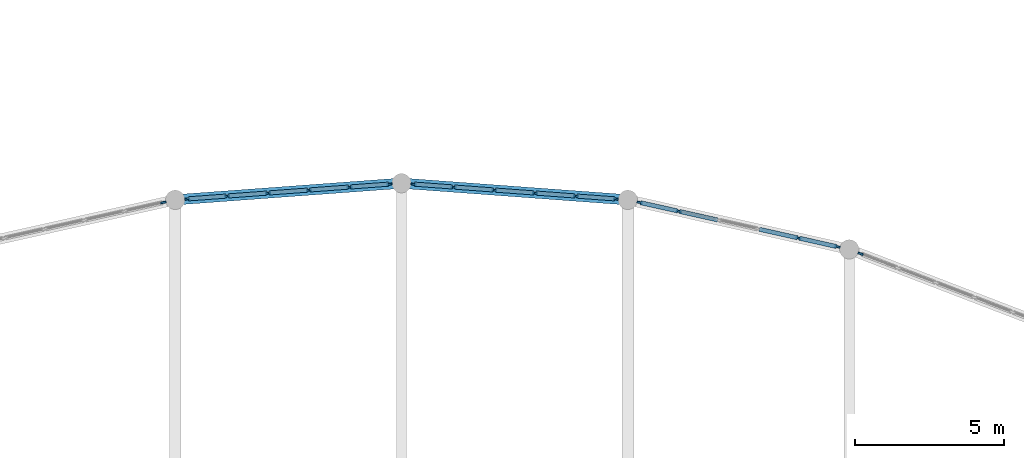
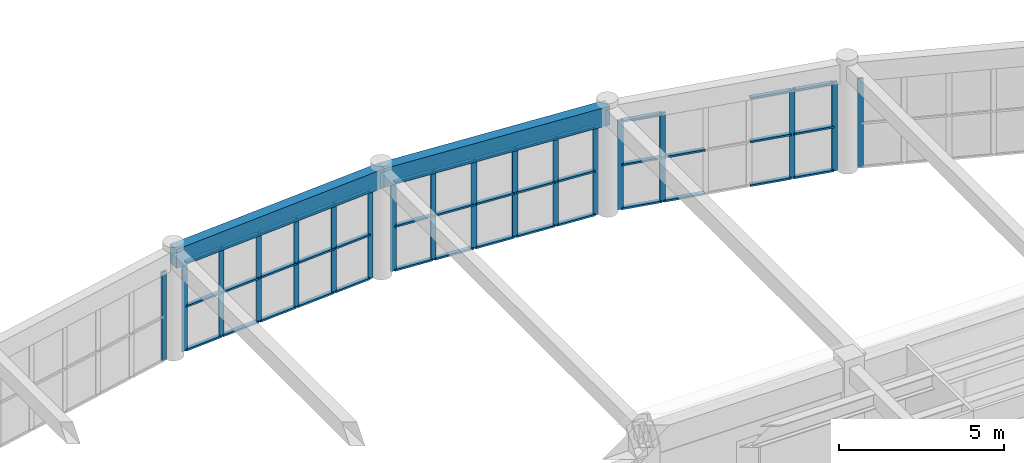
# One storey, part 22 of 76: 59 members, 2 beams, 5 elements without a shape of their own.
"""IFC4 building model written with IfcOpenShell, lengths in metres."""

from ifc_helpers import new_model, si_unit, direction, frame, origin, origin_2d, place, context, subcontext, project, spatial, rectangle, extrude, material, material_profile, profile_set, type_object, element, aggregate, save


model = new_model("IFC4")

# Units and contexts
model_context = context("Model", 3, precision=1e-05, world=origin(), true_north=direction((0.0, 1.0)))
body_context = subcontext(model_context, "Body", "Model", "MODEL_VIEW")
ifc_project = project(units=[si_unit("LENGTHUNIT", "METRE"), si_unit("AREAUNIT", "SQUARE_METRE"), si_unit("VOLUMEUNIT", "CUBIC_METRE"), si_unit("PLANEANGLEUNIT", "RADIAN"), si_unit("MASSUNIT", "GRAM", prefix="KILO")], contexts=[model_context])

# Site, building, storey
site_placement = place(None, origin())
site = spatial("IfcSite", under=ifc_project, at=site_placement, CompositionType="ELEMENT")
building_placement = place(site_placement, origin())
building = spatial("IfcBuilding", under=site, at=building_placement, Name="Mithqara Police Headquarters", CompositionType="ELEMENT")
storey_placement = place(building_placement, frame((0.0, 0.0, 5.39990234375)))
storey = spatial("IfcBuildingStorey", under=building, at=storey_placement, Name="L01", CompositionType="ELEMENT", Elevation=5.39990234375)

# Curtain wall, member
ifc_material_1 = material(Name="Bronze anodised aluminium 6063-T6", Category="aluminium")
curtain_wall_type_1 = type_object("IfcCurtainWallType", Name="CURTAIN WALL 6875X3300", PredefinedType="USERDEFINED", material=ifc_material_1)
curtain_wall_1_placement = place(storey_placement, origin())
curtain_wall_1 = element("IfcCurtainWall", 1, at=curtain_wall_1_placement, inside=storey, type_object=curtain_wall_type_1, Name="L01 Unitised Glazing CW-12 (CW-ARC-L01-02-0)", ObjectType="UNITISED GLAZING", PredefinedType="USERDEFINED")
ifc_material_profile_1 = material_profile(ifc_material_1, rectangle(XDim=0.06494140625, YDim=0.179931640625, at=origin_2d()), Name="CWM 65x180")
ifc_profile_set_1 = profile_set([ifc_material_profile_1], Name="Bronze anodised aluminium 6063-T6")
member_type_1 = type_object("IfcMemberType", Name="CWMULLION 65X180", PredefinedType="MULLION", material=ifc_profile_set_1)
member_1_placement = place(storey_placement, frame((64.599365234375, 101.055908203125, 0.0), z_axis=(0.0, 0.0, 1.0), x_axis=(-0.218341058316, 0.975872523567, 0.0)))
member_1 = element("IfcMember", 2, at=member_1_placement, type_object=member_type_1, Name="CW-12 mullion 6", PredefinedType="MULLION", context=body_context, shape_type="SweptSolid", body=[
    extrude(rectangle(XDim=0.06494140625, YDim=0.179931640625, at=origin_2d()), origin(), (0.0, 0.0, 1.0), 3.300048828125),
])
aggregate(curtain_wall_1, [member_1])

# Curtain wall, members
curtain_wall_type_2 = type_object("IfcCurtainWallType", Name="CURTAIN WALL 6874X3300", PredefinedType="USERDEFINED", material=ifc_material_1)
curtain_wall_2_placement = place(storey_placement, origin())
curtain_wall_2 = element("IfcCurtainWall", 3, at=curtain_wall_2_placement, inside=storey, type_object=curtain_wall_type_2, Name="L01 Unitised Glazing CW-13 (CW-ARC-L01-03-0)", ObjectType="UNITISED GLAZING", PredefinedType="USERDEFINED")
member_2_placement = place(storey_placement, frame((65.40283203125, 101.1748046875, 0.0), z_axis=(0.0, 0.0, 1.0), x_axis=(-0.073301016565, 0.997309862064, 0.0)))
member_2 = element("IfcMember", 4, at=member_2_placement, type_object=member_type_1, Name="CW-13 mullion 1", PredefinedType="MULLION", context=body_context, shape_type="SweptSolid", body=[
    extrude(rectangle(XDim=0.06494140625, YDim=0.179931640625, at=origin_2d()), origin(), (0.0, 0.0, 1.0), 3.300048828125),
])
member_3_placement = place(storey_placement, frame((66.74169921875, 101.273193359375, 0.0), z_axis=(0.0, 0.0, 1.0), x_axis=(-0.073301016565, 0.997309862064, 0.0)))
member_3 = element("IfcMember", 5, at=member_3_placement, type_object=member_type_1, Name="CW-13 mullion 2", PredefinedType="MULLION", context=body_context, shape_type="SweptSolid", body=[
    extrude(rectangle(XDim=0.06494140625, YDim=0.179931640625, at=origin_2d()), origin(), (0.0, 0.0, 1.0), 3.300048828125),
])
member_4_placement = place(storey_placement, frame((68.11279296875, 101.3740234375, 0.0), z_axis=(0.0, 0.0, 1.0), x_axis=(-0.073301016565, 0.997309862064, 0.0)))
member_4 = element("IfcMember", 6, at=member_4_placement, type_object=member_type_1, Name="CW-13 mullion 3", PredefinedType="MULLION", context=body_context, shape_type="SweptSolid", body=[
    extrude(rectangle(XDim=0.06494140625, YDim=0.179931640625, at=origin_2d()), origin(), (0.0, 0.0, 1.0), 3.300048828125),
])
member_5_placement = place(storey_placement, frame((69.48388671875, 101.474853515625, 0.0), z_axis=(0.0, 0.0, 1.0), x_axis=(-0.073301016565, 0.997309862064, 0.0)))
member_5 = element("IfcMember", 7, at=member_5_placement, type_object=member_type_1, Name="CW-13 mullion 4", PredefinedType="MULLION", context=body_context, shape_type="SweptSolid", body=[
    extrude(rectangle(XDim=0.06494140625, YDim=0.179931640625, at=origin_2d()), origin(), (0.0, 0.0, 1.0), 3.300048828125),
])
member_6_placement = place(storey_placement, frame((70.855224609375, 101.575439453125, 0.0), z_axis=(0.0, 0.0, 1.0), x_axis=(-0.073301016565, 0.997309862064, 0.0)))
member_6 = element("IfcMember", 8, at=member_6_placement, type_object=member_type_1, Name="CW-13 mullion 5", PredefinedType="MULLION", context=body_context, shape_type="SweptSolid", body=[
    extrude(rectangle(XDim=0.06494140625, YDim=0.179931640625, at=origin_2d()), origin(), (0.0, 0.0, 1.0), 3.300048828125),
])
member_7_placement = place(storey_placement, frame((72.19384765625, 101.673828125, 0.0), z_axis=(0.0, 0.0, 1.0), x_axis=(-0.073301016565, 0.997309862064, 0.0)))
member_7 = element("IfcMember", 9, at=member_7_placement, type_object=member_type_1, Name="CW-13 mullion 6", PredefinedType="MULLION", context=body_context, shape_type="SweptSolid", body=[
    extrude(rectangle(XDim=0.06494140625, YDim=0.179931640625, at=origin_2d()), origin(), (0.0, 0.0, 1.0), 3.300048828125),
])

curtain_wall_3_placement = place(storey_placement, origin())
curtain_wall_3 = element("IfcCurtainWall", 10, at=curtain_wall_3_placement, inside=storey, type_object=curtain_wall_type_2, Name="L01 Unitised Glazing CW-13 (CW-ARC-L01-04-0)", ObjectType="UNITISED GLAZING", PredefinedType="USERDEFINED")
member_8_placement = place(storey_placement, frame((73.006103515625, 101.673828125, 0.0), z_axis=(0.0, 0.0, 1.0), x_axis=(0.073301016565, 0.997309862064, 0.0)))
member_8 = element("IfcMember", 11, at=member_8_placement, type_object=member_type_1, Name="CW-13 mullion 1", PredefinedType="MULLION", context=body_context, shape_type="SweptSolid", body=[
    extrude(rectangle(XDim=0.06494140625, YDim=0.179931640625, at=origin_2d()), origin(), (0.0, 0.0, 1.0), 3.300048828125),
])
member_9_placement = place(storey_placement, frame((74.344970703125, 101.575439453125, 0.0), z_axis=(0.0, 0.0, 1.0), x_axis=(0.073301016565, 0.997309862064, 0.0)))
member_9 = element("IfcMember", 12, at=member_9_placement, type_object=member_type_1, Name="CW-13 mullion 2", PredefinedType="MULLION", context=body_context, shape_type="SweptSolid", body=[
    extrude(rectangle(XDim=0.06494140625, YDim=0.179931640625, at=origin_2d()), origin(), (0.0, 0.0, 1.0), 3.300048828125),
])
member_10_placement = place(storey_placement, frame((75.716064453125, 101.474853515625, 0.0), z_axis=(0.0, 0.0, 1.0), x_axis=(0.073301016565, 0.997309862064, 0.0)))
member_10 = element("IfcMember", 13, at=member_10_placement, type_object=member_type_1, Name="CW-13 mullion 3", PredefinedType="MULLION", context=body_context, shape_type="SweptSolid", body=[
    extrude(rectangle(XDim=0.06494140625, YDim=0.179931640625, at=origin_2d()), origin(), (0.0, 0.0, 1.0), 3.300048828125),
])
member_11_placement = place(storey_placement, frame((77.087158203125, 101.3740234375, 0.0), z_axis=(0.0, 0.0, 1.0), x_axis=(0.073301016565, 0.997309862064, 0.0)))
member_11 = element("IfcMember", 14, at=member_11_placement, type_object=member_type_1, Name="CW-13 mullion 4", PredefinedType="MULLION", context=body_context, shape_type="SweptSolid", body=[
    extrude(rectangle(XDim=0.06494140625, YDim=0.179931640625, at=origin_2d()), origin(), (0.0, 0.0, 1.0), 3.300048828125),
])
member_12_placement = place(storey_placement, frame((78.45849609375, 101.273193359375, 0.0), z_axis=(0.0, 0.0, 1.0), x_axis=(0.073301016565, 0.997309862064, 0.0)))
member_12 = element("IfcMember", 15, at=member_12_placement, type_object=member_type_1, Name="CW-13 mullion 5", PredefinedType="MULLION", context=body_context, shape_type="SweptSolid", body=[
    extrude(rectangle(XDim=0.06494140625, YDim=0.179931640625, at=origin_2d()), origin(), (0.0, 0.0, 1.0), 3.300048828125),
])
member_13_placement = place(storey_placement, frame((79.797119140625, 101.1748046875, 0.0), z_axis=(0.0, 0.0, 1.0), x_axis=(0.073301016565, 0.997309862064, 0.0)))
member_13 = element("IfcMember", 16, at=member_13_placement, type_object=member_type_1, Name="CW-13 mullion 6", PredefinedType="MULLION", context=body_context, shape_type="SweptSolid", body=[
    extrude(rectangle(XDim=0.06494140625, YDim=0.179931640625, at=origin_2d()), origin(), (0.0, 0.0, 1.0), 3.300048828125),
])

curtain_wall_4_placement = place(storey_placement, origin())
curtain_wall_4 = element("IfcCurtainWall", 17, at=curtain_wall_4_placement, inside=storey, type_object=curtain_wall_type_1, Name="L01 Unitised Glazing CW-12 (CW-ARC-L01-05-0)", ObjectType="UNITISED GLAZING", PredefinedType="USERDEFINED")
member_14_placement = place(storey_placement, frame((80.6005859375, 101.055908203125, 0.0), z_axis=(0.0, 0.0, 1.0), x_axis=(0.218341058316, 0.975872523567, 0.0)))
member_14 = element("IfcMember", 18, at=member_14_placement, type_object=member_type_1, Name="CW-12 mullion 1", PredefinedType="MULLION", context=body_context, shape_type="SweptSolid", body=[
    extrude(rectangle(XDim=0.06494140625, YDim=0.179931640625, at=origin_2d()), origin(), (0.0, 0.0, 1.0), 3.300048828125),
])
member_15_placement = place(storey_placement, frame((81.91064453125, 100.762939453125, 0.0), z_axis=(0.0, 0.0, 1.0), x_axis=(0.218341058316, 0.975872523567, 0.0)))
member_15 = element("IfcMember", 19, at=member_15_placement, type_object=member_type_1, Name="CW-12 mullion 2", PredefinedType="MULLION", context=body_context, shape_type="SweptSolid", body=[
    extrude(rectangle(XDim=0.06494140625, YDim=0.179931640625, at=origin_2d()), origin(), (0.0, 0.0, 1.0), 3.300048828125),
])
member_16_placement = place(storey_placement, frame((85.935791015625, 99.8623046875, 0.0), z_axis=(0.0, 0.0, 1.0), x_axis=(0.218341058316, 0.975872523567, 0.0)))
member_16 = element("IfcMember", 20, at=member_16_placement, type_object=member_type_1, Name="CW-12 mullion 5", PredefinedType="MULLION", context=body_context, shape_type="SweptSolid", body=[
    extrude(rectangle(XDim=0.06494140625, YDim=0.179931640625, at=origin_2d()), origin(), (0.0, 0.0, 1.0), 3.300048828125),
])
member_17_placement = place(storey_placement, frame((87.245849609375, 99.569091796875, 0.0), z_axis=(0.0, 0.0, 1.0), x_axis=(0.218341058316, 0.975872523567, 0.0)))
member_17 = element("IfcMember", 21, at=member_17_placement, type_object=member_type_1, Name="CW-12 mullion 6", PredefinedType="MULLION", context=body_context, shape_type="SweptSolid", body=[
    extrude(rectangle(XDim=0.06494140625, YDim=0.179931640625, at=origin_2d()), origin(), (0.0, 0.0, 1.0), 3.300048828125),
])

# Curtain wall, member
curtain_wall_5_placement = place(storey_placement, origin())
curtain_wall_5 = element("IfcCurtainWall", 22, at=curtain_wall_5_placement, inside=storey, type_object=curtain_wall_type_1, Name="L01 Unitised Glazing CW-12 (CW-ARC-L01-06-0)", ObjectType="UNITISED GLAZING", PredefinedType="USERDEFINED")
member_18_placement = place(storey_placement, frame((88.023193359375, 99.334228515625, 0.0), z_axis=(0.0, 0.0, 1.0), x_axis=(0.358680788402, 0.933460278765, 0.0)))
member_18 = element("IfcMember", 23, at=member_18_placement, type_object=member_type_1, Name="CW-12 mullion 1", PredefinedType="MULLION", context=body_context, shape_type="SweptSolid", body=[
    extrude(rectangle(XDim=0.06494140625, YDim=0.179931640625, at=origin_2d()), origin(), (0.0, 0.0, 1.0), 3.300048828125),
])
aggregate(curtain_wall_5, [member_18])

# Member
ifc_material_profile_2 = material_profile(ifc_material_1, rectangle(XDim=0.139892578125, YDim=0.06494140625, at=origin_2d()), Name="CWT 140x65")
ifc_profile_set_2 = profile_set([ifc_material_profile_2], Name="Bronze anodised aluminium 6063-T6")
member_type_2 = type_object("IfcMemberType", Name="CWTRANSOM 140X65", PredefinedType="USERDEFINED", material=ifc_profile_set_2)
member_19_placement = place(storey_placement, frame((65.435302734375, 101.17724609375, 0.03271484375), z_axis=(0.997317072782, 0.073202843786, 0.0), x_axis=(-0.073202843786, 0.997317072782, 0.0)))
member_19 = element("IfcMember", 24, at=member_19_placement, type_object=member_type_2, Name="CW-13 transom 1.1", ObjectType="TRANSOM", PredefinedType="USERDEFINED", context=body_context, shape_type="SweptSolid", body=[
    extrude(rectangle(XDim=0.139892578125, YDim=0.06494140625, at=origin_2d()), origin(), (0.0, 0.0, 1.0), 1.27734375),
])

member_20_placement = place(storey_placement, frame((65.435302734375, 101.17724609375, 1.650146484375), z_axis=(0.997317072782, 0.073202843786, 0.0), x_axis=(-0.073202843786, 0.997317072782, 0.0)))
member_20 = element("IfcMember", 25, at=member_20_placement, type_object=member_type_2, Name="CW-13 transom 1.2", ObjectType="TRANSOM", PredefinedType="USERDEFINED", context=body_context, shape_type="SweptSolid", body=[
    extrude(rectangle(XDim=0.139892578125, YDim=0.06494140625, at=origin_2d()), origin(), (0.0, 0.0, 1.0), 1.27734375),
])

member_21_placement = place(storey_placement, frame((65.435302734375, 101.17724609375, 3.267578125), z_axis=(0.997317072782, 0.073202843786, 0.0), x_axis=(-0.073202843786, 0.997317072782, 0.0)))
member_21 = element("IfcMember", 26, at=member_21_placement, type_object=member_type_2, Name="CW-13 transom 1.3", ObjectType="TRANSOM", PredefinedType="USERDEFINED", context=body_context, shape_type="SweptSolid", body=[
    extrude(rectangle(XDim=0.139892578125, YDim=0.06494140625, at=origin_2d()), origin(), (0.0, 0.0, 1.0), 1.27734375),
])

member_22_placement = place(storey_placement, frame((66.77392578125, 101.275634765625, 0.03271484375), z_axis=(0.997313835678, 0.073246932802, 0.0), x_axis=(-0.073246932802, 0.997313835678, 0.0)))
member_22 = element("IfcMember", 27, at=member_22_placement, type_object=member_type_2, Name="CW-13 transom 2.1", ObjectType="TRANSOM", PredefinedType="USERDEFINED", context=body_context, shape_type="SweptSolid", body=[
    extrude(rectangle(XDim=0.139892578125, YDim=0.06494140625, at=origin_2d()), origin(), (0.0, 0.0, 1.0), 1.309814453125),
])

member_23_placement = place(storey_placement, frame((66.77392578125, 101.275634765625, 1.650146484375), z_axis=(0.997313835678, 0.073246932802, 0.0), x_axis=(-0.073246932802, 0.997313835678, 0.0)))
member_23 = element("IfcMember", 28, at=member_23_placement, type_object=member_type_2, Name="CW-13 transom 2.2", ObjectType="TRANSOM", PredefinedType="USERDEFINED", context=body_context, shape_type="SweptSolid", body=[
    extrude(rectangle(XDim=0.139892578125, YDim=0.06494140625, at=origin_2d()), origin(), (0.0, 0.0, 1.0), 1.309814453125),
])

member_24_placement = place(storey_placement, frame((66.77392578125, 101.275634765625, 3.267578125), z_axis=(0.997313835678, 0.073246932802, 0.0), x_axis=(-0.073246932802, 0.997313835678, 0.0)))
member_24 = element("IfcMember", 29, at=member_24_placement, type_object=member_type_2, Name="CW-13 transom 2.3", ObjectType="TRANSOM", PredefinedType="USERDEFINED", context=body_context, shape_type="SweptSolid", body=[
    extrude(rectangle(XDim=0.139892578125, YDim=0.06494140625, at=origin_2d()), origin(), (0.0, 0.0, 1.0), 1.309814453125),
])

member_25_placement = place(storey_placement, frame((68.145263671875, 101.376220703125, 0.03271484375), z_axis=(0.99729919834, 0.073445959653, 0.0), x_axis=(-0.073445959653, 0.99729919834, 0.0)))
member_25 = element("IfcMember", 30, at=member_25_placement, type_object=member_type_2, Name="CW-13 transom 3.1", ObjectType="TRANSOM", PredefinedType="USERDEFINED", context=body_context, shape_type="SweptSolid", body=[
    extrude(rectangle(XDim=0.139892578125, YDim=0.06494140625, at=origin_2d()), origin(), (0.0, 0.0, 1.0), 1.3095703125),
])

member_26_placement = place(storey_placement, frame((68.145263671875, 101.376220703125, 1.650146484375), z_axis=(0.99729919834, 0.073445959653, 0.0), x_axis=(-0.073445959653, 0.99729919834, 0.0)))
member_26 = element("IfcMember", 31, at=member_26_placement, type_object=member_type_2, Name="CW-13 transom 3.2", ObjectType="TRANSOM", PredefinedType="USERDEFINED", context=body_context, shape_type="SweptSolid", body=[
    extrude(rectangle(XDim=0.139892578125, YDim=0.06494140625, at=origin_2d()), origin(), (0.0, 0.0, 1.0), 1.3095703125),
])

member_27_placement = place(storey_placement, frame((68.145263671875, 101.376220703125, 3.267578125), z_axis=(0.99729919834, 0.073445959653, 0.0), x_axis=(-0.073445959653, 0.99729919834, 0.0)))
member_27 = element("IfcMember", 32, at=member_27_placement, type_object=member_type_2, Name="CW-13 transom 3.3", ObjectType="TRANSOM", PredefinedType="USERDEFINED", context=body_context, shape_type="SweptSolid", body=[
    extrude(rectangle(XDim=0.139892578125, YDim=0.06494140625, at=origin_2d()), origin(), (0.0, 0.0, 1.0), 1.3095703125),
])

member_28_placement = place(storey_placement, frame((69.516357421875, 101.47705078125, 0.03271484375), z_axis=(0.997300203619, 0.073432308022, 0.0), x_axis=(-0.073432308022, 0.997300203619, 0.0)))
member_28 = element("IfcMember", 33, at=member_28_placement, type_object=member_type_2, Name="CW-13 transom 4.1", ObjectType="TRANSOM", PredefinedType="USERDEFINED", context=body_context, shape_type="SweptSolid", body=[
    extrude(rectangle(XDim=0.139892578125, YDim=0.06494140625, at=origin_2d()), origin(), (0.0, 0.0, 1.0), 1.309814453125),
])

member_29_placement = place(storey_placement, frame((69.516357421875, 101.47705078125, 1.650146484375), z_axis=(0.997300203619, 0.073432308022, 0.0), x_axis=(-0.073432308022, 0.997300203619, 0.0)))
member_29 = element("IfcMember", 34, at=member_29_placement, type_object=member_type_2, Name="CW-13 transom 4.2", ObjectType="TRANSOM", PredefinedType="USERDEFINED", context=body_context, shape_type="SweptSolid", body=[
    extrude(rectangle(XDim=0.139892578125, YDim=0.06494140625, at=origin_2d()), origin(), (0.0, 0.0, 1.0), 1.309814453125),
])

member_30_placement = place(storey_placement, frame((69.516357421875, 101.47705078125, 3.267578125), z_axis=(0.997300203619, 0.073432308022, 0.0), x_axis=(-0.073432308022, 0.997300203619, 0.0)))
member_30 = element("IfcMember", 35, at=member_30_placement, type_object=member_type_2, Name="CW-13 transom 4.3", ObjectType="TRANSOM", PredefinedType="USERDEFINED", context=body_context, shape_type="SweptSolid", body=[
    extrude(rectangle(XDim=0.139892578125, YDim=0.06494140625, at=origin_2d()), origin(), (0.0, 0.0, 1.0), 1.309814453125),
])

member_31_placement = place(storey_placement, frame((70.887451171875, 101.577880859375, 0.03271484375), z_axis=(0.997303101127, 0.073392945733, 0.0), x_axis=(-0.073392945733, 0.997303101127, 0.0)))
member_31 = element("IfcMember", 36, at=member_31_placement, type_object=member_type_2, Name="CW-13 transom 5.1", ObjectType="TRANSOM", PredefinedType="USERDEFINED", context=body_context, shape_type="SweptSolid", body=[
    extrude(rectangle(XDim=0.139892578125, YDim=0.06494140625, at=origin_2d()), origin(), (0.0, 0.0, 1.0), 1.27734375),
])

member_32_placement = place(storey_placement, frame((70.887451171875, 101.577880859375, 1.650146484375), z_axis=(0.997303101127, 0.073392945733, 0.0), x_axis=(-0.073392945733, 0.997303101127, 0.0)))
member_32 = element("IfcMember", 37, at=member_32_placement, type_object=member_type_2, Name="CW-13 transom 5.2", ObjectType="TRANSOM", PredefinedType="USERDEFINED", context=body_context, shape_type="SweptSolid", body=[
    extrude(rectangle(XDim=0.139892578125, YDim=0.06494140625, at=origin_2d()), origin(), (0.0, 0.0, 1.0), 1.27734375),
])

member_33_placement = place(storey_placement, frame((70.887451171875, 101.577880859375, 3.267578125), z_axis=(0.997303101127, 0.073392945733, 0.0), x_axis=(-0.073392945733, 0.997303101127, 0.0)))
member_33 = element("IfcMember", 38, at=member_33_placement, type_object=member_type_2, Name="CW-13 transom 5.3", ObjectType="TRANSOM", PredefinedType="USERDEFINED", context=body_context, shape_type="SweptSolid", body=[
    extrude(rectangle(XDim=0.139892578125, YDim=0.06494140625, at=origin_2d()), origin(), (0.0, 0.0, 1.0), 1.27734375),
])

aggregate(curtain_wall_2, [member_2, member_3, member_4, member_5, member_6, member_7, member_19, member_20, member_21, member_22, member_23, member_24, member_25, member_26, member_27, member_28, member_29, member_30, member_31, member_32, member_33])

member_34_placement = place(storey_placement, frame((73.03857421875, 101.671630859375, 0.03271484375), z_axis=(0.997303101127, -0.073392945733, 0.0), x_axis=(0.073392945733, 0.997303101127, 0.0)))
member_34 = element("IfcMember", 39, at=member_34_placement, type_object=member_type_2, Name="CW-13 transom 1.1", ObjectType="TRANSOM", PredefinedType="USERDEFINED", context=body_context, shape_type="SweptSolid", body=[
    extrude(rectangle(XDim=0.139892578125, YDim=0.06494140625, at=origin_2d()), origin(), (0.0, 0.0, 1.0), 1.27734375),
])

member_35_placement = place(storey_placement, frame((73.03857421875, 101.671630859375, 1.650146484375), z_axis=(0.997303101127, -0.073392945733, 0.0), x_axis=(0.073392945733, 0.997303101127, 0.0)))
member_35 = element("IfcMember", 40, at=member_35_placement, type_object=member_type_2, Name="CW-13 transom 1.2", ObjectType="TRANSOM", PredefinedType="USERDEFINED", context=body_context, shape_type="SweptSolid", body=[
    extrude(rectangle(XDim=0.139892578125, YDim=0.06494140625, at=origin_2d()), origin(), (0.0, 0.0, 1.0), 1.27734375),
])

member_36_placement = place(storey_placement, frame((73.03857421875, 101.671630859375, 3.267578125), z_axis=(0.997303101127, -0.073392945733, 0.0), x_axis=(0.073392945733, 0.997303101127, 0.0)))
member_36 = element("IfcMember", 41, at=member_36_placement, type_object=member_type_2, Name="CW-13 transom 1.3", ObjectType="TRANSOM", PredefinedType="USERDEFINED", context=body_context, shape_type="SweptSolid", body=[
    extrude(rectangle(XDim=0.139892578125, YDim=0.06494140625, at=origin_2d()), origin(), (0.0, 0.0, 1.0), 1.27734375),
])

member_37_placement = place(storey_placement, frame((74.377197265625, 101.5732421875, 0.03271484375), z_axis=(0.997300203619, -0.073432308022, 0.0), x_axis=(0.073432308022, 0.997300203619, 0.0)))
member_37 = element("IfcMember", 42, at=member_37_placement, type_object=member_type_2, Name="CW-13 transom 2.1", ObjectType="TRANSOM", PredefinedType="USERDEFINED", context=body_context, shape_type="SweptSolid", body=[
    extrude(rectangle(XDim=0.139892578125, YDim=0.06494140625, at=origin_2d()), origin(), (0.0, 0.0, 1.0), 1.309814453125),
])

member_38_placement = place(storey_placement, frame((74.377197265625, 101.5732421875, 1.650146484375), z_axis=(0.997300203619, -0.073432308022, 0.0), x_axis=(0.073432308022, 0.997300203619, 0.0)))
member_38 = element("IfcMember", 43, at=member_38_placement, type_object=member_type_2, Name="CW-13 transom 2.2", ObjectType="TRANSOM", PredefinedType="USERDEFINED", context=body_context, shape_type="SweptSolid", body=[
    extrude(rectangle(XDim=0.139892578125, YDim=0.06494140625, at=origin_2d()), origin(), (0.0, 0.0, 1.0), 1.309814453125),
])

member_39_placement = place(storey_placement, frame((74.377197265625, 101.5732421875, 3.267578125), z_axis=(0.997300203619, -0.073432308022, 0.0), x_axis=(0.073432308022, 0.997300203619, 0.0)))
member_39 = element("IfcMember", 44, at=member_39_placement, type_object=member_type_2, Name="CW-13 transom 2.3", ObjectType="TRANSOM", PredefinedType="USERDEFINED", context=body_context, shape_type="SweptSolid", body=[
    extrude(rectangle(XDim=0.139892578125, YDim=0.06494140625, at=origin_2d()), origin(), (0.0, 0.0, 1.0), 1.309814453125),
])

member_40_placement = place(storey_placement, frame((75.74853515625, 101.472412109375, 0.03271484375), z_axis=(0.997300203619, -0.073432308022, 0.0), x_axis=(0.073432308022, 0.997300203619, 0.0)))
member_40 = element("IfcMember", 45, at=member_40_placement, type_object=member_type_2, Name="CW-13 transom 3.1", ObjectType="TRANSOM", PredefinedType="USERDEFINED", context=body_context, shape_type="SweptSolid", body=[
    extrude(rectangle(XDim=0.139892578125, YDim=0.06494140625, at=origin_2d()), origin(), (0.0, 0.0, 1.0), 1.309814453125),
])

member_41_placement = place(storey_placement, frame((75.74853515625, 101.472412109375, 1.650146484375), z_axis=(0.997300203619, -0.073432308022, 0.0), x_axis=(0.073432308022, 0.997300203619, 0.0)))
member_41 = element("IfcMember", 46, at=member_41_placement, type_object=member_type_2, Name="CW-13 transom 3.2", ObjectType="TRANSOM", PredefinedType="USERDEFINED", context=body_context, shape_type="SweptSolid", body=[
    extrude(rectangle(XDim=0.139892578125, YDim=0.06494140625, at=origin_2d()), origin(), (0.0, 0.0, 1.0), 1.309814453125),
])

member_42_placement = place(storey_placement, frame((75.74853515625, 101.472412109375, 3.267578125), z_axis=(0.997300203619, -0.073432308022, 0.0), x_axis=(0.073432308022, 0.997300203619, 0.0)))
member_42 = element("IfcMember", 47, at=member_42_placement, type_object=member_type_2, Name="CW-13 transom 3.3", ObjectType="TRANSOM", PredefinedType="USERDEFINED", context=body_context, shape_type="SweptSolid", body=[
    extrude(rectangle(XDim=0.139892578125, YDim=0.06494140625, at=origin_2d()), origin(), (0.0, 0.0, 1.0), 1.309814453125),
])

member_43_placement = place(storey_placement, frame((77.11962890625, 101.37158203125, 0.03271484375), z_axis=(0.997313835678, -0.073246932802, 0.0), x_axis=(0.073246932802, 0.997313835678, 0.0)))
member_43 = element("IfcMember", 48, at=member_43_placement, type_object=member_type_2, Name="CW-13 transom 4.1", ObjectType="TRANSOM", PredefinedType="USERDEFINED", context=body_context, shape_type="SweptSolid", body=[
    extrude(rectangle(XDim=0.139892578125, YDim=0.06494140625, at=origin_2d()), origin(), (0.0, 0.0, 1.0), 1.309814453125),
])

member_44_placement = place(storey_placement, frame((77.11962890625, 101.37158203125, 1.650146484375), z_axis=(0.997313835678, -0.073246932802, 0.0), x_axis=(0.073246932802, 0.997313835678, 0.0)))
member_44 = element("IfcMember", 49, at=member_44_placement, type_object=member_type_2, Name="CW-13 transom 4.2", ObjectType="TRANSOM", PredefinedType="USERDEFINED", context=body_context, shape_type="SweptSolid", body=[
    extrude(rectangle(XDim=0.139892578125, YDim=0.06494140625, at=origin_2d()), origin(), (0.0, 0.0, 1.0), 1.309814453125),
])

member_45_placement = place(storey_placement, frame((77.11962890625, 101.37158203125, 3.267578125), z_axis=(0.997313835678, -0.073246932802, 0.0), x_axis=(0.073246932802, 0.997313835678, 0.0)))
member_45 = element("IfcMember", 50, at=member_45_placement, type_object=member_type_2, Name="CW-13 transom 4.3", ObjectType="TRANSOM", PredefinedType="USERDEFINED", context=body_context, shape_type="SweptSolid", body=[
    extrude(rectangle(XDim=0.139892578125, YDim=0.06494140625, at=origin_2d()), origin(), (0.0, 0.0, 1.0), 1.309814453125),
])

member_46_placement = place(storey_placement, frame((78.49072265625, 101.270751953125, 0.03271484375), z_axis=(0.99731809669, -0.073188892706, 0.0), x_axis=(0.073188892706, 0.99731809669, 0.0)))
member_46 = element("IfcMember", 51, at=member_46_placement, type_object=member_type_2, Name="CW-13 transom 5.1", ObjectType="TRANSOM", PredefinedType="USERDEFINED", context=body_context, shape_type="SweptSolid", body=[
    extrude(rectangle(XDim=0.139892578125, YDim=0.06494140625, at=origin_2d()), origin(), (0.0, 0.0, 1.0), 1.277587890625),
])

member_47_placement = place(storey_placement, frame((78.49072265625, 101.270751953125, 1.650146484375), z_axis=(0.99731809669, -0.073188892706, 0.0), x_axis=(0.073188892706, 0.99731809669, 0.0)))
member_47 = element("IfcMember", 52, at=member_47_placement, type_object=member_type_2, Name="CW-13 transom 5.2", ObjectType="TRANSOM", PredefinedType="USERDEFINED", context=body_context, shape_type="SweptSolid", body=[
    extrude(rectangle(XDim=0.139892578125, YDim=0.06494140625, at=origin_2d()), origin(), (0.0, 0.0, 1.0), 1.277587890625),
])

member_48_placement = place(storey_placement, frame((78.49072265625, 101.270751953125, 3.267578125), z_axis=(0.99731809669, -0.073188892706, 0.0), x_axis=(0.073188892706, 0.99731809669, 0.0)))
member_48 = element("IfcMember", 53, at=member_48_placement, type_object=member_type_2, Name="CW-13 transom 5.3", ObjectType="TRANSOM", PredefinedType="USERDEFINED", context=body_context, shape_type="SweptSolid", body=[
    extrude(rectangle(XDim=0.139892578125, YDim=0.06494140625, at=origin_2d()), origin(), (0.0, 0.0, 1.0), 1.277587890625),
])

aggregate(curtain_wall_3, [member_8, member_9, member_10, member_11, member_12, member_13, member_34, member_35, member_36, member_37, member_38, member_39, member_40, member_41, member_42, member_43, member_44, member_45, member_46, member_47, member_48])

member_49_placement = place(storey_placement, frame((80.63232421875, 101.048828125, 0.03271484375), z_axis=(0.975889339037, -0.218265888206, 0.0), x_axis=(0.218265888206, 0.975889339037, 0.0)))
member_49 = element("IfcMember", 54, at=member_49_placement, type_object=member_type_2, Name="CW-12 transom 1.1", ObjectType="TRANSOM", PredefinedType="USERDEFINED", context=body_context, shape_type="SweptSolid", body=[
    extrude(rectangle(XDim=0.139892578125, YDim=0.06494140625, at=origin_2d()), origin(), (0.0, 0.0, 1.0), 1.27734375),
])

member_50_placement = place(storey_placement, frame((80.63232421875, 101.048828125, 1.650146484375), z_axis=(0.975889339037, -0.218265888206, 0.0), x_axis=(0.218265888206, 0.975889339037, 0.0)))
member_50 = element("IfcMember", 55, at=member_50_placement, type_object=member_type_2, Name="CW-12 transom 1.2", ObjectType="TRANSOM", PredefinedType="USERDEFINED", context=body_context, shape_type="SweptSolid", body=[
    extrude(rectangle(XDim=0.139892578125, YDim=0.06494140625, at=origin_2d()), origin(), (0.0, 0.0, 1.0), 1.27734375),
])

member_51_placement = place(storey_placement, frame((80.63232421875, 101.048828125, 3.267578125), z_axis=(0.975889339037, -0.218265888206, 0.0), x_axis=(0.218265888206, 0.975889339037, 0.0)))
member_51 = element("IfcMember", 56, at=member_51_placement, type_object=member_type_2, Name="CW-12 transom 1.3", ObjectType="TRANSOM", PredefinedType="USERDEFINED", context=body_context, shape_type="SweptSolid", body=[
    extrude(rectangle(XDim=0.139892578125, YDim=0.06494140625, at=origin_2d()), origin(), (0.0, 0.0, 1.0), 1.27734375),
])

member_52_placement = place(storey_placement, frame((81.9423828125, 100.755859375, 0.03271484375), z_axis=(0.975852628103, -0.218429961829, 0.0), x_axis=(0.218429961829, 0.975852628103, 0.0)))
member_52 = element("IfcMember", 57, at=member_52_placement, type_object=member_type_2, Name="CW-12 transom 2.1", ObjectType="TRANSOM", PredefinedType="USERDEFINED", context=body_context, shape_type="SweptSolid", body=[
    extrude(rectangle(XDim=0.139892578125, YDim=0.06494140625, at=origin_2d()), origin(), (0.0, 0.0, 1.0), 1.31005859375),
])

member_53_placement = place(storey_placement, frame((81.9423828125, 100.755859375, 1.650146484375), z_axis=(0.975852628103, -0.218429961829, 0.0), x_axis=(0.218429961829, 0.975852628103, 0.0)))
member_53 = element("IfcMember", 58, at=member_53_placement, type_object=member_type_2, Name="CW-12 transom 2.2", ObjectType="TRANSOM", PredefinedType="USERDEFINED", context=body_context, shape_type="SweptSolid", body=[
    extrude(rectangle(XDim=0.139892578125, YDim=0.06494140625, at=origin_2d()), origin(), (0.0, 0.0, 1.0), 1.31005859375),
])

member_54_placement = place(storey_placement, frame((84.625732421875, 100.155517578125, 0.03271484375), z_axis=(0.975852628103, -0.218429961829, 0.0), x_axis=(0.218429961829, 0.975852628103, 0.0)))
member_54 = element("IfcMember", 59, at=member_54_placement, type_object=member_type_2, Name="CW-12 transom 4.1", ObjectType="TRANSOM", PredefinedType="USERDEFINED", context=body_context, shape_type="SweptSolid", body=[
    extrude(rectangle(XDim=0.139892578125, YDim=0.06494140625, at=origin_2d()), origin(), (0.0, 0.0, 1.0), 1.31005859375),
])

member_55_placement = place(storey_placement, frame((84.625732421875, 100.155517578125, 1.650146484375), z_axis=(0.975852628103, -0.218429961829, 0.0), x_axis=(0.218429961829, 0.975852628103, 0.0)))
member_55 = element("IfcMember", 60, at=member_55_placement, type_object=member_type_2, Name="CW-12 transom 4.2", ObjectType="TRANSOM", PredefinedType="USERDEFINED", context=body_context, shape_type="SweptSolid", body=[
    extrude(rectangle(XDim=0.139892578125, YDim=0.06494140625, at=origin_2d()), origin(), (0.0, 0.0, 1.0), 1.31005859375),
])

member_56_placement = place(storey_placement, frame((84.625732421875, 100.155517578125, 3.267578125), z_axis=(0.975852628103, -0.218429961829, 0.0), x_axis=(0.218429961829, 0.975852628103, 0.0)))
member_56 = element("IfcMember", 61, at=member_56_placement, type_object=member_type_2, Name="CW-12 transom 4.3", ObjectType="TRANSOM", PredefinedType="USERDEFINED", context=body_context, shape_type="SweptSolid", body=[
    extrude(rectangle(XDim=0.139892578125, YDim=0.06494140625, at=origin_2d()), origin(), (0.0, 0.0, 1.0), 1.31005859375),
])

member_57_placement = place(storey_placement, frame((85.967529296875, 99.855224609375, 0.03271484375), z_axis=(0.975848613284, -0.218447897568, 0.0), x_axis=(0.218447897568, 0.975848613284, 0.0)))
member_57 = element("IfcMember", 62, at=member_57_placement, type_object=member_type_2, Name="CW-12 transom 5.1", ObjectType="TRANSOM", PredefinedType="USERDEFINED", context=body_context, shape_type="SweptSolid", body=[
    extrude(rectangle(XDim=0.139892578125, YDim=0.06494140625, at=origin_2d()), origin(), (0.0, 0.0, 1.0), 1.27734375),
])

member_58_placement = place(storey_placement, frame((85.967529296875, 99.855224609375, 1.650146484375), z_axis=(0.975848613284, -0.218447897568, 0.0), x_axis=(0.218447897568, 0.975848613284, 0.0)))
member_58 = element("IfcMember", 63, at=member_58_placement, type_object=member_type_2, Name="CW-12 transom 5.2", ObjectType="TRANSOM", PredefinedType="USERDEFINED", context=body_context, shape_type="SweptSolid", body=[
    extrude(rectangle(XDim=0.139892578125, YDim=0.06494140625, at=origin_2d()), origin(), (0.0, 0.0, 1.0), 1.27734375),
])

member_59_placement = place(storey_placement, frame((85.967529296875, 99.855224609375, 3.267578125), z_axis=(0.975848613284, -0.218447897568, 0.0), x_axis=(0.218447897568, 0.975848613284, 0.0)))
member_59 = element("IfcMember", 64, at=member_59_placement, type_object=member_type_2, Name="CW-12 transom 5.3", ObjectType="TRANSOM", PredefinedType="USERDEFINED", context=body_context, shape_type="SweptSolid", body=[
    extrude(rectangle(XDim=0.139892578125, YDim=0.06494140625, at=origin_2d()), origin(), (0.0, 0.0, 1.0), 1.27734375),
])

aggregate(curtain_wall_4, [member_14, member_15, member_16, member_17, member_49, member_50, member_51, member_52, member_53, member_54, member_55, member_56, member_57, member_58, member_59])

# Beams
ifc_material_2 = material(Name="Concrete C40/50", Category="concrete")
ifc_material_profile_3 = material_profile(ifc_material_2, rectangle(XDim=0.35009765625, YDim=0.699951171875, at=origin_2d()), Name="SPB 350x700")
ifc_profile_set_3 = profile_set([ifc_material_profile_3], Name="Concrete C40/50")
beam_type = type_object("IfcBeamType", Name="SPANDREL 350X700", PredefinedType="SPANDREL", material=ifc_profile_set_3)
beam_1_placement = place(storey_placement, frame((64.99658203125, 101.14501953125, 3.650146484375), z_axis=(0.997309966718, 0.07329959266, 0.0), x_axis=(-0.07329959266, 0.997309966718, 0.0)))
element("IfcBeam", 65, at=beam_1_placement, inside=storey, type_object=beam_type, Name="L01 Swept Arcade Ring Spandrel 4", PredefinedType="SPANDREL", context=body_context, shape_type="SweptSolid", body=[
    extrude(rectangle(XDim=0.35009765625, YDim=0.699951171875, at=origin_2d()), origin(), (0.0, 0.0, 1.0), 7.6240234375),
])
beam_2_placement = place(storey_placement, frame((72.60009765625, 101.703857421875, 3.650146484375), z_axis=(0.997309794658, -0.07330193366, 0.0), x_axis=(0.07330193366, 0.997309794658, 0.0)))
element("IfcBeam", 66, at=beam_2_placement, inside=storey, type_object=beam_type, Name="L01 Swept Arcade Ring Spandrel 5", PredefinedType="SPANDREL", context=body_context, shape_type="SweptSolid", body=[
    extrude(rectangle(XDim=0.35009765625, YDim=0.699951171875, at=origin_2d()), origin(), (0.0, 0.0, 1.0), 7.623779296875),
])

save(model, "model.ifc")
